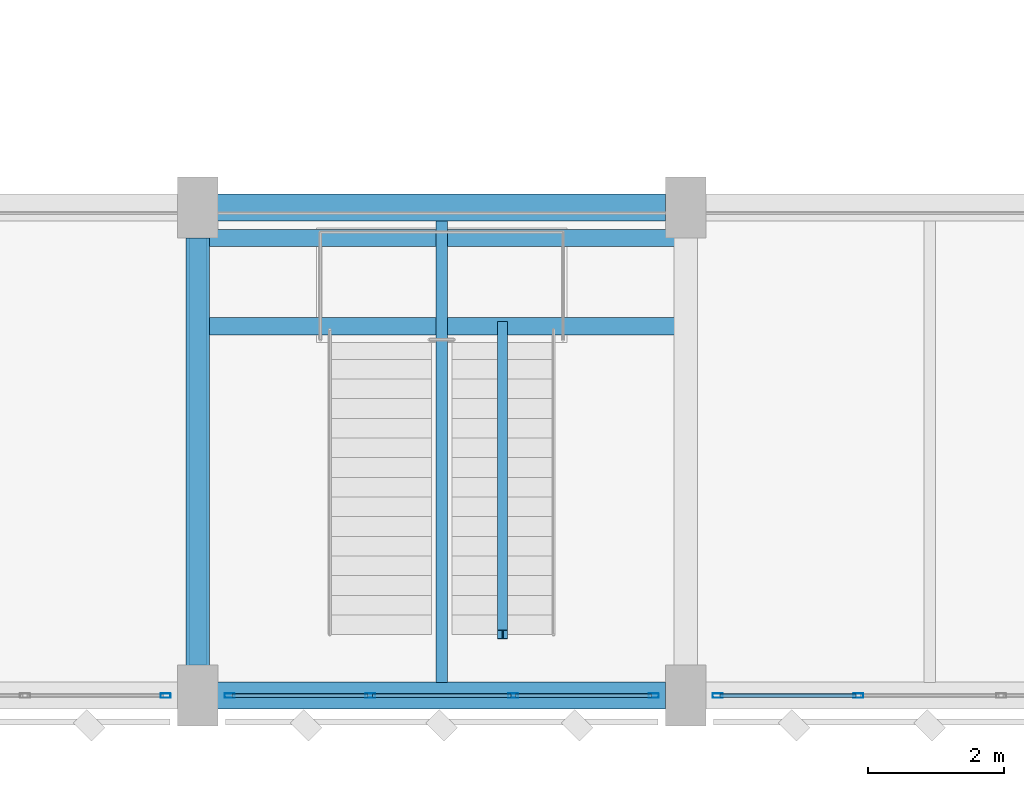
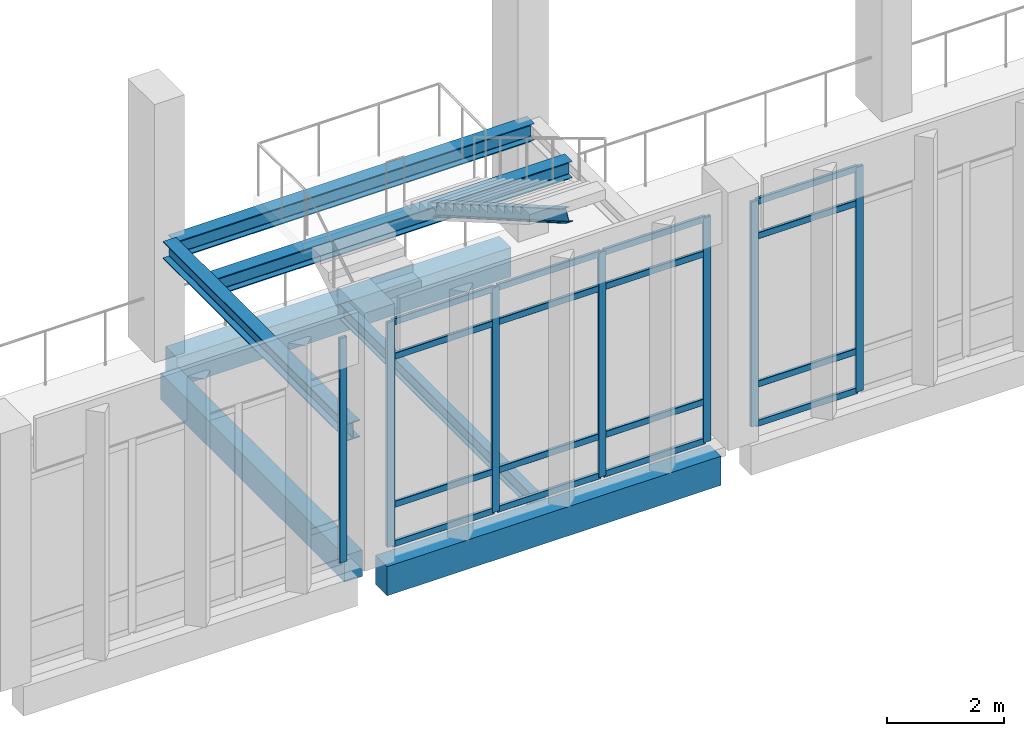
# One storey, part 96 of 180: 23 members, 8 beams, 3 elements without a shape of their own.
"""IFC4 building model written with IfcOpenShell, lengths in metres."""

from ifc_helpers import new_model, si_unit, direction, frame, origin, origin_2d, place, context, subcontext, project, spatial, rectangle, hollow_rectangle, i_section, extrude, material, material_profile, profile_set, type_object, element, aggregate, save


model = new_model("IFC4")

# Units and contexts
model_context = context("Model", 3, precision=1e-05, world=origin(), true_north=direction((0.0, 1.0)))
body_context = subcontext(model_context, "Body", "Model", "MODEL_VIEW")
ifc_project = project(units=[si_unit("LENGTHUNIT", "METRE"), si_unit("AREAUNIT", "SQUARE_METRE"), si_unit("VOLUMEUNIT", "CUBIC_METRE"), si_unit("PLANEANGLEUNIT", "RADIAN"), si_unit("MASSUNIT", "GRAM", prefix="KILO")], contexts=[model_context])

# Site, building, storey
site_placement = place(None, origin())
site = spatial("IfcSite", under=ifc_project, at=site_placement, CompositionType="ELEMENT")
building_placement = place(site_placement, origin())
building = spatial("IfcBuilding", under=site, at=building_placement, Name="Lusvemor Sports Hall", CompositionType="ELEMENT")
storey_placement = place(building_placement, frame((0.0, 0.0, 5.39990234375)))
storey = spatial("IfcBuildingStorey", under=building, at=storey_placement, Name="L01", CompositionType="ELEMENT", Elevation=5.39990234375)

# Beams
ifc_material_1 = material(Name="Concrete C40/50", Category="concrete")
ifc_material_profile_1 = material_profile(ifc_material_1, rectangle(XDim=0.35009765625, YDim=0.550048828125, at=origin_2d()), Name="RC350x550")
ifc_profile_set_1 = profile_set([ifc_material_profile_1], Name="Concrete C40/50")
beam_type_1 = type_object("IfcBeamType", Name="BEAM_RC_550", PredefinedType="BEAM", material=ifc_profile_set_1)
beam_1_placement = place(storey_placement, frame((126.0, 0.446044921875, -0.534912109375), z_axis=(0.0, 1.0, 0.0), x_axis=(-1.0, 0.0, 0.0)))
element("IfcBeam", 1, at=beam_1_placement, inside=storey, type_object=beam_type_1, Name="Beam L01 14:A-B", PredefinedType="BEAM", context=body_context, shape_type="SweptSolid", body=[
    extrude(rectangle(XDim=0.35009765625, YDim=0.550048828125, at=origin_2d()), origin(), (0.0, 0.0, 1.0), 6.307861328125),
])
ifc_material_2 = material(Name="Steel S355", Category="steel")
ifc_material_profile_2 = material_profile(ifc_material_2, i_section(OverallWidth=0.256103515625, OverallDepth=0.360107421875, WebThickness=0.011474609375, FlangeThickness=0.02001953125, FilletRadius=0.014892578125, at=origin_2d()), Name="W360x110.0")
ifc_profile_set_2 = profile_set([ifc_material_profile_2], Name="Steel S355")
beam_type_2 = type_object("IfcBeamType", Name="BEAM_ST_360H", PredefinedType="BEAM", material=ifc_profile_set_2)
beam_2_placement = place(storey_placement, frame((126.0, 0.449951171875, 2.300048828125), z_axis=(0.0, 1.0, 0.0), x_axis=(-1.0, 0.0, 0.0)))
element("IfcBeam", 2, at=beam_2_placement, inside=storey, type_object=beam_type_2, Name="STR-V2-CONC West Column Tie Beam", PredefinedType="BEAM", context=body_context, shape_type="SweptSolid", body=[
    extrude(i_section(OverallWidth=0.256103515625, OverallDepth=0.360107421875, WebThickness=0.011474609375, FlangeThickness=0.02001953125, FilletRadius=0.014892578125, at=origin_2d()), origin(), (0.0, 0.0, 1.0), 6.300048828125),
])
for number, where, z_axis, x_axis, name in (
    (3, (126.050048828125, 6.75, 2.300048828125), (1.0, 0.0, 0.0), (0.0, 1.0, 0.0), "STR-V2-CONC North Landing Girder"),
    (4, (126.050048828125, 5.449951171875, 2.300048828125), (1.0, 0.0, 0.0), (0.0, 1.0, 0.0), "STR-V2-CONC Mid Landing Girder"),
):
    element("IfcBeam", number, at=place(storey_placement, frame(where, z_axis=z_axis, x_axis=x_axis)), inside=storey, type_object=beam_type_2, Name=name, PredefinedType="BEAM", context=body_context, shape_type="SweptSolid", body=[
        extrude(i_section(OverallWidth=0.256103515625, OverallDepth=0.360107421875, WebThickness=0.011474609375, FlangeThickness=0.02001953125, FilletRadius=0.014892578125, at=origin_2d()), origin(), (0.0, 0.0, 1.0), 7.099853515625),
    ])

# Curtain wall, member
ifc_material_3 = material(Name="Thermally broken bronze-anodized aluminium", Category="aluminium")
curtain_wall_type = type_object("IfcCurtainWallType", Name="CW_COURT_C", PredefinedType="NOTDEFINED", material=ifc_material_3)
curtain_wall_1_placement = place(storey_placement, origin())
curtain_wall_1 = element("IfcCurtainWall", 5, at=curtain_wall_1_placement, inside=storey, type_object=curtain_wall_type, Name="Curtain Wall CW-V2S-L01-0", PredefinedType="NOTDEFINED")
ifc_material_4 = material(Name="Thermally broken bronze-anodized aluminium", Category="aluminium")
ifc_material_profile_3 = material_profile(ifc_material_4, hollow_rectangle(XDim=0.06494140625, YDim=0.14990234375, WallThickness=0.00390625, InnerFilletRadius=0.00390625, OuterFilletRadius=0.008056640625, at=origin_2d()), Name="CWMUL150x65x4")
ifc_profile_set_3 = profile_set([ifc_material_profile_3], Name="Thermally broken bronze-anodized aluminium")
member_type_1 = type_object("IfcMemberType", Name="CW_MUL_B", PredefinedType="MULLION", material=ifc_profile_set_3)
member_1_placement = place(storey_placement, frame((125.527587890625, 0.0, 0.0), z_axis=(0.0, 0.0, 1.0), x_axis=(0.0, -1.0, 0.0)))
member_1 = element("IfcMember", 6, at=member_1_placement, type_object=member_type_1, Name="CW03 mullion 1", PredefinedType="MULLION", context=body_context, shape_type="SweptSolid", body=[
    extrude(hollow_rectangle(XDim=0.06494140625, YDim=0.14990234375, WallThickness=0.00390625, InnerFilletRadius=0.00390625, OuterFilletRadius=0.008056640625, at=origin_2d()), origin(), (0.0, 0.0, 1.0), 4.7001953125),
])
aggregate(curtain_wall_1, [member_1])

# Curtain wall, members
curtain_wall_2_placement = place(storey_placement, origin())
curtain_wall_2 = element("IfcCurtainWall", 7, at=curtain_wall_2_placement, inside=storey, type_object=curtain_wall_type, Name="Curtain Wall CW-V2S-L01-1", PredefinedType="NOTDEFINED")
member_2_placement = place(storey_placement, frame((132.7275390625, 0.0, 0.0), z_axis=(0.0, 0.0, 1.0), x_axis=(0.0, -1.0, 0.0)))
member_2 = element("IfcMember", 8, at=member_2_placement, type_object=member_type_1, Name="CW03 mullion 1", PredefinedType="MULLION", context=body_context, shape_type="SweptSolid", body=[
    extrude(hollow_rectangle(XDim=0.06494140625, YDim=0.14990234375, WallThickness=0.00390625, InnerFilletRadius=0.00390625, OuterFilletRadius=0.008056640625, at=origin_2d()), origin(), (0.0, 0.0, 1.0), 4.7001953125),
])
member_3_placement = place(storey_placement, frame((130.6533203125, 0.0, 0.0), z_axis=(0.0, 0.0, 1.0), x_axis=(0.0, -1.0, 0.0)))
member_3 = element("IfcMember", 9, at=member_3_placement, type_object=member_type_1, Name="CW03 mullion 2", PredefinedType="MULLION", context=body_context, shape_type="SweptSolid", body=[
    extrude(hollow_rectangle(XDim=0.06494140625, YDim=0.14990234375, WallThickness=0.00390625, InnerFilletRadius=0.00390625, OuterFilletRadius=0.008056640625, at=origin_2d()), origin(), (0.0, 0.0, 1.0), 4.7001953125),
])
member_4_placement = place(storey_placement, frame((128.546630859375, 0.0, 0.0), z_axis=(0.0, 0.0, 1.0), x_axis=(0.0, -1.0, 0.0)))
member_4 = element("IfcMember", 10, at=member_4_placement, type_object=member_type_1, Name="CW03 mullion 3", PredefinedType="MULLION", context=body_context, shape_type="SweptSolid", body=[
    extrude(hollow_rectangle(XDim=0.06494140625, YDim=0.14990234375, WallThickness=0.00390625, InnerFilletRadius=0.00390625, OuterFilletRadius=0.008056640625, at=origin_2d()), origin(), (0.0, 0.0, 1.0), 4.7001953125),
])
member_5_placement = place(storey_placement, frame((126.472412109375, 0.0, 0.0), z_axis=(0.0, 0.0, 1.0), x_axis=(0.0, -1.0, 0.0)))
member_5 = element("IfcMember", 11, at=member_5_placement, type_object=member_type_1, Name="CW03 mullion 4", PredefinedType="MULLION", context=body_context, shape_type="SweptSolid", body=[
    extrude(hollow_rectangle(XDim=0.06494140625, YDim=0.14990234375, WallThickness=0.00390625, InnerFilletRadius=0.00390625, OuterFilletRadius=0.008056640625, at=origin_2d()), origin(), (0.0, 0.0, 1.0), 4.7001953125),
])

curtain_wall_3_placement = place(storey_placement, origin())
curtain_wall_3 = element("IfcCurtainWall", 12, at=curtain_wall_3_placement, inside=storey, type_object=curtain_wall_type, Name="Curtain Wall CW-V2S-L01-2", PredefinedType="NOTDEFINED")
member_6_placement = place(storey_placement, frame((135.74658203125, 0.0, 0.0), z_axis=(0.0, 0.0, 1.0), x_axis=(0.0, -1.0, 0.0)))
member_6 = element("IfcMember", 13, at=member_6_placement, type_object=member_type_1, Name="CW03 mullion 3", PredefinedType="MULLION", context=body_context, shape_type="SweptSolid", body=[
    extrude(hollow_rectangle(XDim=0.06494140625, YDim=0.14990234375, WallThickness=0.00390625, InnerFilletRadius=0.00390625, OuterFilletRadius=0.008056640625, at=origin_2d()), origin(), (0.0, 0.0, 1.0), 4.7001953125),
])
member_7_placement = place(storey_placement, frame((133.672607421875, 0.0, 0.0), z_axis=(0.0, 0.0, 1.0), x_axis=(0.0, -1.0, 0.0)))
member_7 = element("IfcMember", 14, at=member_7_placement, type_object=member_type_1, Name="CW03 mullion 4", PredefinedType="MULLION", context=body_context, shape_type="SweptSolid", body=[
    extrude(hollow_rectangle(XDim=0.06494140625, YDim=0.14990234375, WallThickness=0.00390625, InnerFilletRadius=0.00390625, OuterFilletRadius=0.008056640625, at=origin_2d()), origin(), (0.0, 0.0, 1.0), 4.7001953125),
])

# Member
ifc_material_5 = material(Name="Thermally broken bronze-anodized aluminium", Category="aluminium")
ifc_material_profile_4 = material_profile(ifc_material_5, hollow_rectangle(XDim=0.06005859375, YDim=0.135009765625, WallThickness=0.00390625, InnerFilletRadius=0.00390625, OuterFilletRadius=0.008056640625, at=origin_2d()), Name="CWTRN135x60x4")
ifc_profile_set_4 = profile_set([ifc_material_profile_4], Name="Thermally broken bronze-anodized aluminium")
member_type_2 = type_object("IfcMemberType", Name="CW_TRN_B", PredefinedType="USERDEFINED", material=ifc_profile_set_4)
member_8_placement = place(storey_placement, frame((132.695068359375, 0.0, 0.030029296875), z_axis=(-1.0, 0.0, 0.0), x_axis=(0.0, -1.0, 0.0)))
member_8 = element("IfcMember", 15, at=member_8_placement, type_object=member_type_2, Name="CW03 transom 1.1", ObjectType="TRANSOM", PredefinedType="USERDEFINED", context=body_context, shape_type="SweptSolid", body=[
    extrude(hollow_rectangle(XDim=0.06005859375, YDim=0.135009765625, WallThickness=0.00390625, InnerFilletRadius=0.00390625, OuterFilletRadius=0.008056640625, at=origin_2d()), origin(), (0.0, 0.0, 1.0), 2.00927734375),
])

member_9_placement = place(storey_placement, frame((132.695068359375, 0.0, 0.85009765625), z_axis=(-1.0, 0.0, 0.0), x_axis=(0.0, -1.0, 0.0)))
member_9 = element("IfcMember", 16, at=member_9_placement, type_object=member_type_2, Name="CW03 transom 1.2", ObjectType="TRANSOM", PredefinedType="USERDEFINED", context=body_context, shape_type="SweptSolid", body=[
    extrude(hollow_rectangle(XDim=0.06005859375, YDim=0.135009765625, WallThickness=0.00390625, InnerFilletRadius=0.00390625, OuterFilletRadius=0.008056640625, at=origin_2d()), origin(), (0.0, 0.0, 1.0), 2.00927734375),
])

member_10_placement = place(storey_placement, frame((132.695068359375, 0.0, 3.9501953125), z_axis=(-1.0, 0.0, 0.0), x_axis=(0.0, -1.0, 0.0)))
member_10 = element("IfcMember", 17, at=member_10_placement, type_object=member_type_2, Name="CW03 transom 1.3", ObjectType="TRANSOM", PredefinedType="USERDEFINED", context=body_context, shape_type="SweptSolid", body=[
    extrude(hollow_rectangle(XDim=0.06005859375, YDim=0.135009765625, WallThickness=0.00390625, InnerFilletRadius=0.00390625, OuterFilletRadius=0.008056640625, at=origin_2d()), origin(), (0.0, 0.0, 1.0), 2.00927734375),
])

member_11_placement = place(storey_placement, frame((132.695068359375, 0.0, 4.670166015625), z_axis=(-1.0, 0.0, 0.0), x_axis=(0.0, -1.0, 0.0)))
member_11 = element("IfcMember", 18, at=member_11_placement, type_object=member_type_2, Name="CW03 transom 1.4", ObjectType="TRANSOM", PredefinedType="USERDEFINED", context=body_context, shape_type="SweptSolid", body=[
    extrude(hollow_rectangle(XDim=0.06005859375, YDim=0.135009765625, WallThickness=0.00390625, InnerFilletRadius=0.00390625, OuterFilletRadius=0.008056640625, at=origin_2d()), origin(), (0.0, 0.0, 1.0), 2.00927734375),
])

member_12_placement = place(storey_placement, frame((130.620849609375, 0.0, 0.030029296875), z_axis=(-1.0, 0.0, 0.0), x_axis=(0.0, -1.0, 0.0)))
member_12 = element("IfcMember", 19, at=member_12_placement, type_object=member_type_2, Name="CW03 transom 2.1", ObjectType="TRANSOM", PredefinedType="USERDEFINED", context=body_context, shape_type="SweptSolid", body=[
    extrude(hollow_rectangle(XDim=0.06005859375, YDim=0.135009765625, WallThickness=0.00390625, InnerFilletRadius=0.00390625, OuterFilletRadius=0.008056640625, at=origin_2d()), origin(), (0.0, 0.0, 1.0), 2.041748046875),
])

member_13_placement = place(storey_placement, frame((130.620849609375, 0.0, 0.85009765625), z_axis=(-1.0, 0.0, 0.0), x_axis=(0.0, -1.0, 0.0)))
member_13 = element("IfcMember", 20, at=member_13_placement, type_object=member_type_2, Name="CW03 transom 2.2", ObjectType="TRANSOM", PredefinedType="USERDEFINED", context=body_context, shape_type="SweptSolid", body=[
    extrude(hollow_rectangle(XDim=0.06005859375, YDim=0.135009765625, WallThickness=0.00390625, InnerFilletRadius=0.00390625, OuterFilletRadius=0.008056640625, at=origin_2d()), origin(), (0.0, 0.0, 1.0), 2.041748046875),
])

member_14_placement = place(storey_placement, frame((130.620849609375, 0.0, 3.9501953125), z_axis=(-1.0, 0.0, 0.0), x_axis=(0.0, -1.0, 0.0)))
member_14 = element("IfcMember", 21, at=member_14_placement, type_object=member_type_2, Name="CW03 transom 2.3", ObjectType="TRANSOM", PredefinedType="USERDEFINED", context=body_context, shape_type="SweptSolid", body=[
    extrude(hollow_rectangle(XDim=0.06005859375, YDim=0.135009765625, WallThickness=0.00390625, InnerFilletRadius=0.00390625, OuterFilletRadius=0.008056640625, at=origin_2d()), origin(), (0.0, 0.0, 1.0), 2.041748046875),
])

member_15_placement = place(storey_placement, frame((130.620849609375, 0.0, 4.670166015625), z_axis=(-1.0, 0.0, 0.0), x_axis=(0.0, -1.0, 0.0)))
member_15 = element("IfcMember", 22, at=member_15_placement, type_object=member_type_2, Name="CW03 transom 2.4", ObjectType="TRANSOM", PredefinedType="USERDEFINED", context=body_context, shape_type="SweptSolid", body=[
    extrude(hollow_rectangle(XDim=0.06005859375, YDim=0.135009765625, WallThickness=0.00390625, InnerFilletRadius=0.00390625, OuterFilletRadius=0.008056640625, at=origin_2d()), origin(), (0.0, 0.0, 1.0), 2.041748046875),
])

member_16_placement = place(storey_placement, frame((128.51416015625, 0.0, 0.030029296875), z_axis=(-1.0, 0.0, 0.0), x_axis=(0.0, -1.0, 0.0)))
member_16 = element("IfcMember", 23, at=member_16_placement, type_object=member_type_2, Name="CW03 transom 3.1", ObjectType="TRANSOM", PredefinedType="USERDEFINED", context=body_context, shape_type="SweptSolid", body=[
    extrude(hollow_rectangle(XDim=0.06005859375, YDim=0.135009765625, WallThickness=0.00390625, InnerFilletRadius=0.00390625, OuterFilletRadius=0.008056640625, at=origin_2d()), origin(), (0.0, 0.0, 1.0), 2.00927734375),
])

member_17_placement = place(storey_placement, frame((128.51416015625, 0.0, 0.85009765625), z_axis=(-1.0, 0.0, 0.0), x_axis=(0.0, -1.0, 0.0)))
member_17 = element("IfcMember", 24, at=member_17_placement, type_object=member_type_2, Name="CW03 transom 3.2", ObjectType="TRANSOM", PredefinedType="USERDEFINED", context=body_context, shape_type="SweptSolid", body=[
    extrude(hollow_rectangle(XDim=0.06005859375, YDim=0.135009765625, WallThickness=0.00390625, InnerFilletRadius=0.00390625, OuterFilletRadius=0.008056640625, at=origin_2d()), origin(), (0.0, 0.0, 1.0), 2.00927734375),
])

member_18_placement = place(storey_placement, frame((128.51416015625, 0.0, 3.9501953125), z_axis=(-1.0, 0.0, 0.0), x_axis=(0.0, -1.0, 0.0)))
member_18 = element("IfcMember", 25, at=member_18_placement, type_object=member_type_2, Name="CW03 transom 3.3", ObjectType="TRANSOM", PredefinedType="USERDEFINED", context=body_context, shape_type="SweptSolid", body=[
    extrude(hollow_rectangle(XDim=0.06005859375, YDim=0.135009765625, WallThickness=0.00390625, InnerFilletRadius=0.00390625, OuterFilletRadius=0.008056640625, at=origin_2d()), origin(), (0.0, 0.0, 1.0), 2.00927734375),
])

member_19_placement = place(storey_placement, frame((128.51416015625, 0.0, 4.670166015625), z_axis=(-1.0, 0.0, 0.0), x_axis=(0.0, -1.0, 0.0)))
member_19 = element("IfcMember", 26, at=member_19_placement, type_object=member_type_2, Name="CW03 transom 3.4", ObjectType="TRANSOM", PredefinedType="USERDEFINED", context=body_context, shape_type="SweptSolid", body=[
    extrude(hollow_rectangle(XDim=0.06005859375, YDim=0.135009765625, WallThickness=0.00390625, InnerFilletRadius=0.00390625, OuterFilletRadius=0.008056640625, at=origin_2d()), origin(), (0.0, 0.0, 1.0), 2.00927734375),
])

aggregate(curtain_wall_2, [member_2, member_3, member_4, member_5, member_8, member_9, member_10, member_11, member_12, member_13, member_14, member_15, member_16, member_17, member_18, member_19])

member_20_placement = place(storey_placement, frame((135.714111328125, 0.0, 0.030029296875), z_axis=(-1.0, 0.0, 0.0), x_axis=(0.0, -1.0, 0.0)))
member_20 = element("IfcMember", 27, at=member_20_placement, type_object=member_type_2, Name="CW03 transom 3.1", ObjectType="TRANSOM", PredefinedType="USERDEFINED", context=body_context, shape_type="SweptSolid", body=[
    extrude(hollow_rectangle(XDim=0.06005859375, YDim=0.135009765625, WallThickness=0.00390625, InnerFilletRadius=0.00390625, OuterFilletRadius=0.008056640625, at=origin_2d()), origin(), (0.0, 0.0, 1.0), 2.009033203125),
])

member_21_placement = place(storey_placement, frame((135.714111328125, 0.0, 0.85009765625), z_axis=(-1.0, 0.0, 0.0), x_axis=(0.0, -1.0, 0.0)))
member_21 = element("IfcMember", 28, at=member_21_placement, type_object=member_type_2, Name="CW03 transom 3.2", ObjectType="TRANSOM", PredefinedType="USERDEFINED", context=body_context, shape_type="SweptSolid", body=[
    extrude(hollow_rectangle(XDim=0.06005859375, YDim=0.135009765625, WallThickness=0.00390625, InnerFilletRadius=0.00390625, OuterFilletRadius=0.008056640625, at=origin_2d()), origin(), (0.0, 0.0, 1.0), 2.009033203125),
])

member_22_placement = place(storey_placement, frame((135.714111328125, 0.0, 3.9501953125), z_axis=(-1.0, 0.0, 0.0), x_axis=(0.0, -1.0, 0.0)))
member_22 = element("IfcMember", 29, at=member_22_placement, type_object=member_type_2, Name="CW03 transom 3.3", ObjectType="TRANSOM", PredefinedType="USERDEFINED", context=body_context, shape_type="SweptSolid", body=[
    extrude(hollow_rectangle(XDim=0.06005859375, YDim=0.135009765625, WallThickness=0.00390625, InnerFilletRadius=0.00390625, OuterFilletRadius=0.008056640625, at=origin_2d()), origin(), (0.0, 0.0, 1.0), 2.009033203125),
])

member_23_placement = place(storey_placement, frame((135.714111328125, 0.0, 4.670166015625), z_axis=(-1.0, 0.0, 0.0), x_axis=(0.0, -1.0, 0.0)))
member_23 = element("IfcMember", 30, at=member_23_placement, type_object=member_type_2, Name="CW03 transom 3.4", ObjectType="TRANSOM", PredefinedType="USERDEFINED", context=body_context, shape_type="SweptSolid", body=[
    extrude(hollow_rectangle(XDim=0.06005859375, YDim=0.135009765625, WallThickness=0.00390625, InnerFilletRadius=0.00390625, OuterFilletRadius=0.008056640625, at=origin_2d()), origin(), (0.0, 0.0, 1.0), 2.009033203125),
])

aggregate(curtain_wall_3, [member_6, member_7, member_20, member_21, member_22, member_23])

# Beams
ifc_material_6 = material(Name="Steel S355", Category="steel")
ifc_material_profile_5 = material_profile(ifc_material_6, i_section(OverallWidth=0.14794921875, OverallDepth=0.26611328125, WebThickness=0.007568359375, FlangeThickness=0.012939453125, FilletRadius=0.012939453125, at=origin_2d()), Name="W250x44.8")
ifc_profile_set_5 = profile_set([ifc_material_profile_5], Name="Steel S355")
beam_type_3 = type_object("IfcBeamType", Name="JOIST_ST_250M", PredefinedType="JOIST", material=ifc_profile_set_5)
beam_3_placement = place(storey_placement, frame((130.5, 5.449951171875, 2.340087890625), z_axis=(0.0, -0.866590162741, 0.499020530479), x_axis=(1.0, 0.0, 0.0)))
element("IfcBeam", 31, at=beam_3_placement, inside=storey, type_object=beam_type_3, Name="STR-V2-CONC Flight 2 Stringer", PredefinedType="JOIST", context=body_context, shape_type="SweptSolid", body=[
    extrude(i_section(OverallWidth=0.14794921875, OverallDepth=0.26611328125, WebThickness=0.007568359375, FlangeThickness=0.012939453125, FilletRadius=0.012939453125, at=origin_2d()), origin(), (0.0, 0.0, 1.0), 5.25048828125),
])
ifc_material_7 = material(Name="Steel S355", Category="steel")
ifc_material_profile_6 = material_profile(ifc_material_7, i_section(OverallWidth=0.1669921875, OverallDepth=0.31689453125, WebThickness=0.007568359375, FlangeThickness=0.01318359375, FilletRadius=0.014892578125, at=origin_2d()), Name="W310x52.0")
ifc_profile_set_6 = profile_set([ifc_material_profile_6], Name="Steel S355")
beam_type_4 = type_object("IfcBeamType", Name="JOIST_ST_310M", PredefinedType="JOIST", material=ifc_profile_set_6)
beam_4_placement = place(storey_placement, frame((129.60009765625, 0.196044921875, -0.42236328125), z_axis=(0.0, 1.0, 0.0), x_axis=(-1.0, 0.0, 0.0)))
element("IfcBeam", 32, at=beam_4_placement, inside=storey, type_object=beam_type_4, Name="Secondary Joist L01 14-15/A-B #1", PredefinedType="JOIST", context=body_context, shape_type="SweptSolid", body=[
    extrude(i_section(OverallWidth=0.1669921875, OverallDepth=0.31689453125, WebThickness=0.007568359375, FlangeThickness=0.01318359375, FilletRadius=0.014892578125, at=origin_2d()), origin(), (0.0, 0.0, 1.0), 6.807861328125),
])
ifc_material_8 = material(Name="Concrete C40/50", Category="concrete")
ifc_material_profile_7 = material_profile(ifc_material_8, rectangle(XDim=0.39990234375, YDim=0.610107421875, at=origin_2d()), Name="RC400x610")
ifc_profile_set_7 = profile_set([ifc_material_profile_7], Name="Concrete C40/50")
beam_type_5 = type_object("IfcBeamType", Name="SPAND_EXT_650", PredefinedType="SPANDREL", material=ifc_profile_set_7)
for number, where, z_axis, x_axis, name in (
    (33, (126.2958984375, 0.0, -0.56494140625), (1.0, 0.0, 0.0), (0.0, 1.0, 0.0), "Beam L01 A:14-15"),
    (34, (126.2958984375, 7.199951171875, -0.56494140625), (1.0, 0.0, 0.0), (0.0, 1.0, 0.0), "Beam L01 B:14-15"),
):
    element("IfcBeam", number, at=place(storey_placement, frame(where, z_axis=z_axis, x_axis=x_axis)), inside=storey, type_object=beam_type_5, Name=name, PredefinedType="SPANDREL", context=body_context, shape_type="SweptSolid", body=[
        extrude(rectangle(XDim=0.39990234375, YDim=0.610107421875, at=origin_2d()), origin(), (0.0, 0.0, 1.0), 6.608154296875),
    ])

save(model, "model.ifc")
